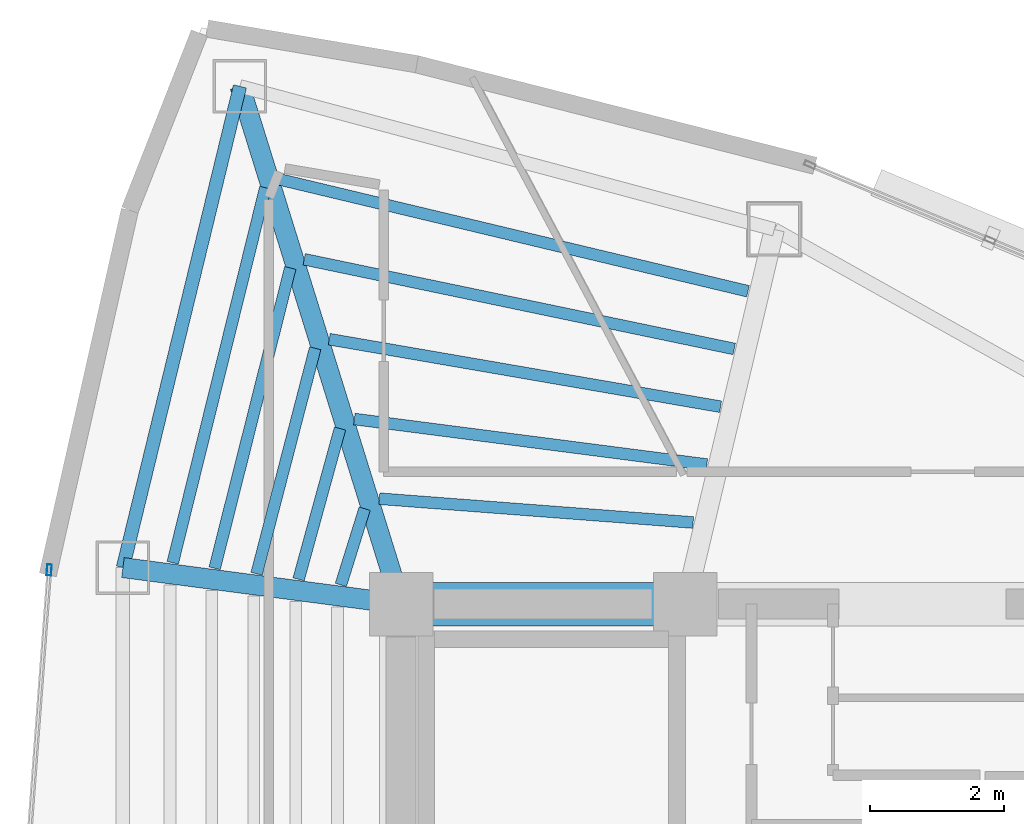
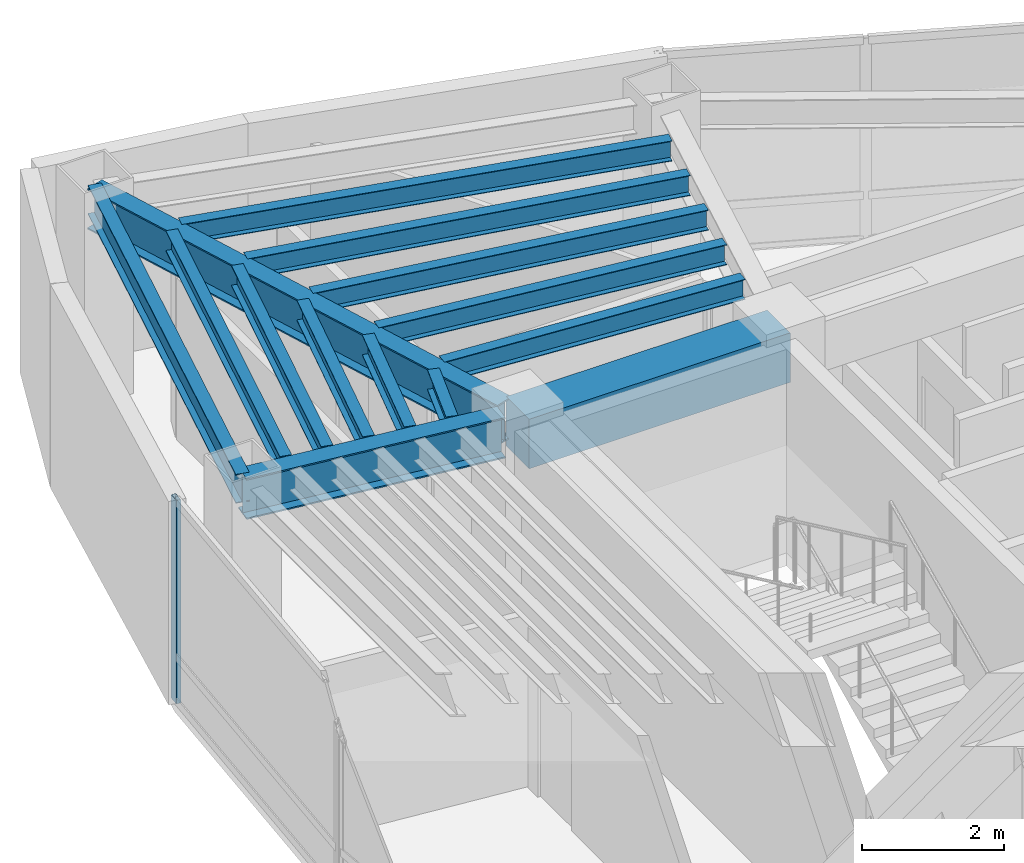
# One storey, part 7 of 15: 14 beams, 1 member, 1 element without a shape of its own.
"""IFC4 building model written with IfcOpenShell, lengths in metres."""

from ifc_helpers import new_model, si_unit, direction, frame, origin, origin_2d, place, context, subcontext, project, spatial, rectangle, hollow_rectangle, i_section, extrude, material, layer, layer_set, material_profile, profile_set, type_object, element, aggregate, save


model = new_model("IFC4")

# Units and contexts
model_context = context("Model", 3, precision=1e-05, world=origin(), true_north=direction((0.0, 1.0)))
body_context = subcontext(model_context, "Body", "Model", "MODEL_VIEW")
ifc_project = project(units=[si_unit("LENGTHUNIT", "METRE"), si_unit("AREAUNIT", "SQUARE_METRE"), si_unit("VOLUMEUNIT", "CUBIC_METRE"), si_unit("PLANEANGLEUNIT", "RADIAN"), si_unit("MASSUNIT", "GRAM", prefix="KILO")], contexts=[model_context])

# Site, building, storey
site_placement = place(None, origin())
site = spatial("IfcSite", under=ifc_project, at=site_placement, CompositionType="ELEMENT")
building_placement = place(site_placement, origin())
building = spatial("IfcBuilding", under=site, at=building_placement, Name="Menara Vayukalpa", CompositionType="ELEMENT")
storey_placement = place(building_placement, frame((0.0, 0.0, 250.860107421875)))
storey = spatial("IfcBuildingStorey", under=building, at=storey_placement, Name="L63", CompositionType="ELEMENT", Elevation=250.860107421875)

# Beams
ifc_material_1 = material(Name="Concrete C60/75", Category="concrete")
ifc_material_profile_1 = material_profile(ifc_material_1, rectangle(XDim=0.64990234375, YDim=0.85009765625, at=origin_2d()), Name="RC 650x850")
ifc_profile_set_1 = profile_set([ifc_material_profile_1], Name="Concrete C60/75")
beam_type_1 = type_object("IfcBeamType", Name="BM-CB1", PredefinedType="BEAM", material=ifc_profile_set_1)
beam_1_placement = place(storey_placement, frame((17.800048828125, 26.800048828125, 3.074951171875), z_axis=(1.0, 0.0, 0.0), x_axis=(0.0, 1.0, 0.0)))
element("IfcBeam", 1, at=beam_1_placement, inside=storey, type_object=beam_type_1, Name="L63 Core Tie Beam CBR4", PredefinedType="BEAM", context=body_context, shape_type="SweptSolid", body=[
    extrude(rectangle(XDim=0.64990234375, YDim=0.85009765625, at=origin_2d()), origin(), (0.0, 0.0, 1.0), 4.25),
])
ifc_material_2 = material(Name="Steel S355", Category="steel")
ifc_material_profile_2 = material_profile(ifc_material_2, i_section(OverallWidth=0.300048828125, OverallDepth=0.699951171875, WebThickness=0.012939453125, FlangeThickness=0.02392578125, at=origin_2d()), Name="WF 700x300x13x24")
ifc_profile_set_2 = profile_set([ifc_material_profile_2], Name="Steel S355")
beam_type_2 = type_object("IfcBeamType", Name="BM-PG5", PredefinedType="BEAM", material=ifc_profile_set_2)
beam_2_placement = place(storey_placement, frame((17.7255859375, 27.038818359375, 3.14990234375), z_axis=(-0.297213792842, 0.954810955815, 0.0), x_axis=(-0.954810955815, -0.297213792842, 0.0)))
element("IfcBeam", 2, at=beam_2_placement, inside=storey, type_object=beam_type_2, Name="L63 Primary Radial Girder RG04", PredefinedType="BEAM", context=body_context, shape_type="SweptSolid", body=[
    extrude(i_section(OverallWidth=0.300048828125, OverallDepth=0.699951171875, WebThickness=0.012939453125, FlangeThickness=0.02392578125, at=origin_2d()), origin(), (0.0, 0.0, 1.0), 7.861083984375),
])
beam_3_placement = place(storey_placement, frame((17.552001953125, 26.83251953125, 3.14990234375), z_axis=(-0.991477860763, 0.130275291662, 0.0), x_axis=(-0.130275291662, -0.991477860763, 0.0)))
element("IfcBeam", 3, at=beam_3_placement, inside=storey, type_object=beam_type_2, Name="L63 Primary Radial Girder RG05", PredefinedType="BEAM", context=body_context, shape_type="SweptSolid", body=[
    extrude(i_section(OverallWidth=0.300048828125, OverallDepth=0.699951171875, WebThickness=0.012939453125, FlangeThickness=0.02392578125, at=origin_2d()), origin(), (0.0, 0.0, 1.0), 3.94677734375),
])
ifc_material_3 = material(Name="Steel S355", Category="steel")
ifc_material_profile_3 = material_profile(ifc_material_3, i_section(OverallWidth=0.175048828125, OverallDepth=0.35009765625, WebThickness=0.007080078125, FlangeThickness=0.010986328125, at=origin_2d()), Name="WF 350x175x7x11")
ifc_profile_set_3 = profile_set([ifc_material_profile_3], Name="Steel S355")
beam_type_3 = type_object("IfcBeamType", Name="BM-SJ3", PredefinedType="JOIST", material=ifc_profile_set_3)
beam_4_placement = place(storey_placement, frame((22.16748046875, 28.02099609375, 3.324951171875), z_axis=(-0.997135697669, 0.075633328852, 0.0), x_axis=(-0.075633328852, -0.997135697669, 0.0)))
element("IfcBeam", 4, at=beam_4_placement, inside=storey, type_object=beam_type_3, Name="L63 Secondary Floor Joist SJ03-1", PredefinedType="JOIST", context=body_context, shape_type="SweptSolid", body=[
    extrude(i_section(OverallWidth=0.175048828125, OverallDepth=0.35009765625, WebThickness=0.007080078125, FlangeThickness=0.010986328125, at=origin_2d()), origin(), (0.0, 0.0, 1.0), 4.706298828125),
])
beam_5_placement = place(storey_placement, frame((22.372314453125, 28.887939453125, 3.324951171875), z_axis=(-0.991763759233, 0.128080622546, 0.0), x_axis=(-0.128080622546, -0.991763759233, 0.0)))
element("IfcBeam", 5, at=beam_5_placement, inside=storey, type_object=beam_type_3, Name="L63 Secondary Floor Joist SJ03-2", PredefinedType="JOIST", context=body_context, shape_type="SweptSolid", body=[
    extrude(i_section(OverallWidth=0.175048828125, OverallDepth=0.35009765625, WebThickness=0.007080078125, FlangeThickness=0.010986328125, at=origin_2d()), origin(), (0.0, 0.0, 1.0), 5.316162109375),
])
beam_6_placement = place(storey_placement, frame((22.577392578125, 29.7529296875, 3.324951171875), z_axis=(-0.985440172071, 0.170022549294, 0.0), x_axis=(-0.170022549294, -0.985440172071, 0.0)))
element("IfcBeam", 6, at=beam_6_placement, inside=storey, type_object=beam_type_3, Name="L63 Secondary Floor Joist SJ03-3", PredefinedType="JOIST", context=body_context, shape_type="SweptSolid", body=[
    extrude(i_section(OverallWidth=0.175048828125, OverallDepth=0.35009765625, WebThickness=0.007080078125, FlangeThickness=0.010986328125, at=origin_2d()), origin(), (0.0, 0.0, 1.0), 5.93896484375),
])
beam_7_placement = place(storey_placement, frame((22.7822265625, 30.61669921875, 3.324951171875), z_axis=(-0.978941451827, 0.204141210671, 0.0), x_axis=(-0.204141210671, -0.978941451827, 0.0)))
element("IfcBeam", 7, at=beam_7_placement, inside=storey, type_object=beam_type_3, Name="L63 Secondary Floor Joist SJ03-4", PredefinedType="JOIST", context=body_context, shape_type="SweptSolid", body=[
    extrude(i_section(OverallWidth=0.175048828125, OverallDepth=0.35009765625, WebThickness=0.007080078125, FlangeThickness=0.010986328125, at=origin_2d()), origin(), (0.0, 0.0, 1.0), 6.570556640625),
])
beam_8_placement = place(storey_placement, frame((22.9873046875, 31.479248046875, 3.324951171875), z_axis=(-0.972642465748, 0.232307197097, 0.0), x_axis=(-0.232307197097, -0.972642465748, 0.0)))
element("IfcBeam", 8, at=beam_8_placement, inside=storey, type_object=beam_type_3, Name="L63 Secondary Floor Joist SJ03-5", PredefinedType="JOIST", context=body_context, shape_type="SweptSolid", body=[
    extrude(i_section(OverallWidth=0.175048828125, OverallDepth=0.35009765625, WebThickness=0.007080078125, FlangeThickness=0.010986328125, at=origin_2d()), origin(), (0.0, 0.0, 1.0), 7.20947265625),
])
beam_9_placement = place(storey_placement, frame((17.25439453125, 28.2275390625, 3.324951171875), z_axis=(-0.298018933644, -0.954559958929, 0.0), x_axis=(0.954559958929, -0.298018933644, 0.0)))
element("IfcBeam", 9, at=beam_9_placement, inside=storey, type_object=beam_type_3, Name="L63 Secondary Floor Joist SJ04-1", PredefinedType="JOIST", context=body_context, shape_type="SweptSolid", body=[
    extrude(i_section(OverallWidth=0.175048828125, OverallDepth=0.35009765625, WebThickness=0.007080078125, FlangeThickness=0.010986328125, at=origin_2d()), origin(), (0.0, 0.0, 1.0), 1.1943359375),
])
beam_10_placement = place(storey_placement, frame((16.88623046875, 29.4267578125, 3.324951171875), z_axis=(-0.264918721837, -0.9642707456, 0.0), x_axis=(0.9642707456, -0.264918721837, 0.0)))
element("IfcBeam", 10, at=beam_10_placement, inside=storey, type_object=beam_type_3, Name="L63 Secondary Floor Joist SJ04-2", PredefinedType="JOIST", context=body_context, shape_type="SweptSolid", body=[
    extrude(i_section(OverallWidth=0.175048828125, OverallDepth=0.35009765625, WebThickness=0.007080078125, FlangeThickness=0.010986328125, at=origin_2d()), origin(), (0.0, 0.0, 1.0), 2.3388671875),
])
beam_11_placement = place(storey_placement, frame((16.5146484375, 30.627197265625, 3.324951171875), z_axis=(-0.251492114719, -0.96785934734, 0.0), x_axis=(0.96785934734, -0.251492114719, 0.0)))
element("IfcBeam", 11, at=beam_11_placement, inside=storey, type_object=beam_type_3, Name="L63 Secondary Floor Joist SJ04-3", PredefinedType="JOIST", context=body_context, shape_type="SweptSolid", body=[
    extrude(i_section(OverallWidth=0.175048828125, OverallDepth=0.35009765625, WebThickness=0.007080078125, FlangeThickness=0.010986328125, at=origin_2d()), origin(), (0.0, 0.0, 1.0), 3.485107421875),
])
beam_12_placement = place(storey_placement, frame((16.14208984375, 31.82763671875, 3.324951171875), z_axis=(-0.244247063973, -0.969713035769, 0.0), x_axis=(0.969713035769, -0.244247063973, 0.0)))
element("IfcBeam", 12, at=beam_12_placement, inside=storey, type_object=beam_type_3, Name="L63 Secondary Floor Joist SJ04-4", PredefinedType="JOIST", context=body_context, shape_type="SweptSolid", body=[
    extrude(i_section(OverallWidth=0.175048828125, OverallDepth=0.35009765625, WebThickness=0.007080078125, FlangeThickness=0.010986328125, at=origin_2d()), origin(), (0.0, 0.0, 1.0), 4.630859375),
])
beam_13_placement = place(storey_placement, frame((15.768798828125, 33.028564453125, 3.324951171875), z_axis=(-0.239671161383, -0.970854126222, 0.0), x_axis=(0.970854126222, -0.239671161383, 0.0)))
element("IfcBeam", 13, at=beam_13_placement, inside=storey, type_object=beam_type_3, Name="L63 Secondary Floor Joist SJ04-5", PredefinedType="JOIST", context=body_context, shape_type="SweptSolid", body=[
    extrude(i_section(OverallWidth=0.175048828125, OverallDepth=0.35009765625, WebThickness=0.007080078125, FlangeThickness=0.010986328125, at=origin_2d()), origin(), (0.0, 0.0, 1.0), 5.77783203125),
])
ifc_material_4 = material(Name="Steel S355", Category="steel")
ifc_material_profile_4 = material_profile(ifc_material_4, i_section(OverallWidth=0.199951171875, OverallDepth=0.5, WebThickness=0.010009765625, FlangeThickness=0.01611328125, at=origin_2d()), Name="WF 500x200x10x16")
ifc_profile_set_4 = profile_set([ifc_material_profile_4], Name="Steel S355")
beam_type_4 = type_object("IfcBeamType", Name="BM-SP3", PredefinedType="SPANDREL", material=ifc_profile_set_4)
beam_14_placement = place(storey_placement, frame((15.38916015625, 34.544677734375, 3.25), z_axis=(-0.236272525754, -0.97168682896, 0.0), x_axis=(0.97168682896, -0.236272525754, 0.0)))
element("IfcBeam", 14, at=beam_14_placement, inside=storey, type_object=beam_type_4, Name="L63 Perimeter Spandrel Beam SP04", PredefinedType="SPANDREL", context=body_context, shape_type="SweptSolid", body=[
    extrude(i_section(OverallWidth=0.199951171875, OverallDepth=0.5, WebThickness=0.010009765625, FlangeThickness=0.01611328125, at=origin_2d()), origin(), (0.0, 0.0, 1.0), 7.40771484375),
])

# Curtain wall, member
ifc_material_5 = material(Name="Anodised Terracotta Aluminium Alloy 6063-T6", Category="masonry")
ifc_layer = layer(ifc_material_5, 0.1650390625)
ifc_layer_set = layer_set([ifc_layer], Name="Anodised Terracotta Aluminium Alloy 6063-T6")
curtain_wall_type = type_object("IfcCurtainWallType", Name="CW-CW6", PredefinedType="USERDEFINED", material=ifc_layer_set)
curtain_wall_placement = place(storey_placement, origin())
curtain_wall = element("IfcCurtainWall", 15, at=curtain_wall_placement, inside=storey, type_object=curtain_wall_type, Name="L63 Observation and Executive Curtain Wall CW6 10", ObjectType="UNITISED", PredefinedType="USERDEFINED")
ifc_material_6 = material(Name="Anodised Terracotta Aluminium Alloy 6063-T6", Category="masonry")
ifc_material_profile_5 = material_profile(ifc_material_6, hollow_rectangle(XDim=0.070068359375, YDim=0.1650390625, WallThickness=0.00390625, at=origin_2d()), Name="ALU 70x165x4")
ifc_profile_set_5 = profile_set([ifc_material_profile_5], Name="Anodised Terracotta Aluminium Alloy 6063-T6")
member_type = type_object("IfcMemberType", Name="CWM-CW6", PredefinedType="MULLION", material=ifc_profile_set_5)
member_placement = place(storey_placement, frame((12.536376953125, 27.311767578125, 0.0), z_axis=(0.0, 0.0, 1.0), x_axis=(0.997199344663, -0.074789484574, 0.0)))
member = element("IfcMember", 16, at=member_placement, type_object=member_type, Name="CW6 mullion 1", PredefinedType="MULLION", context=body_context, shape_type="SweptSolid", body=[
    extrude(hollow_rectangle(XDim=0.070068359375, YDim=0.1650390625, WallThickness=0.00390625, at=origin_2d()), origin(), (0.0, 0.0, 1.0), 3.5),
])
aggregate(curtain_wall, [member])

save(model, "model.ifc")
